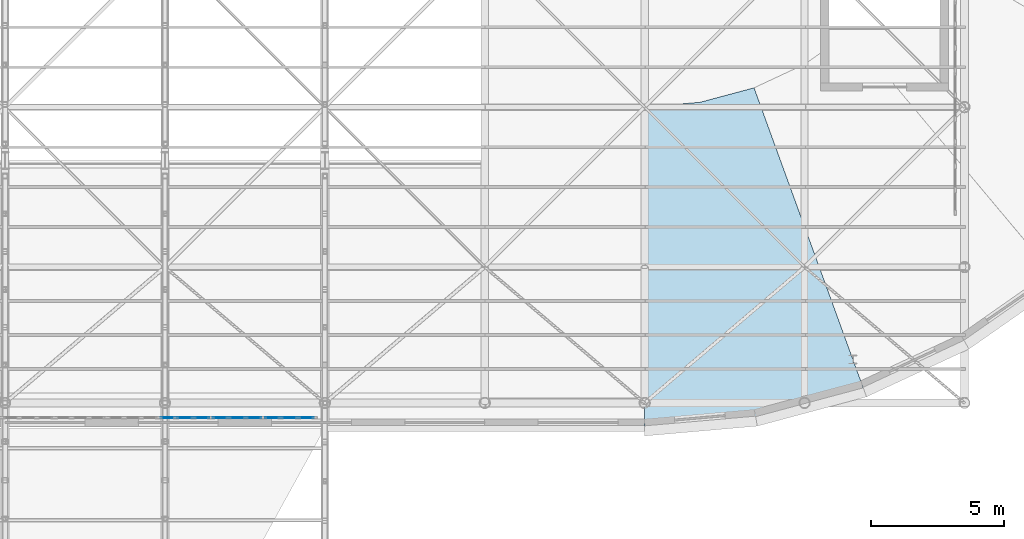
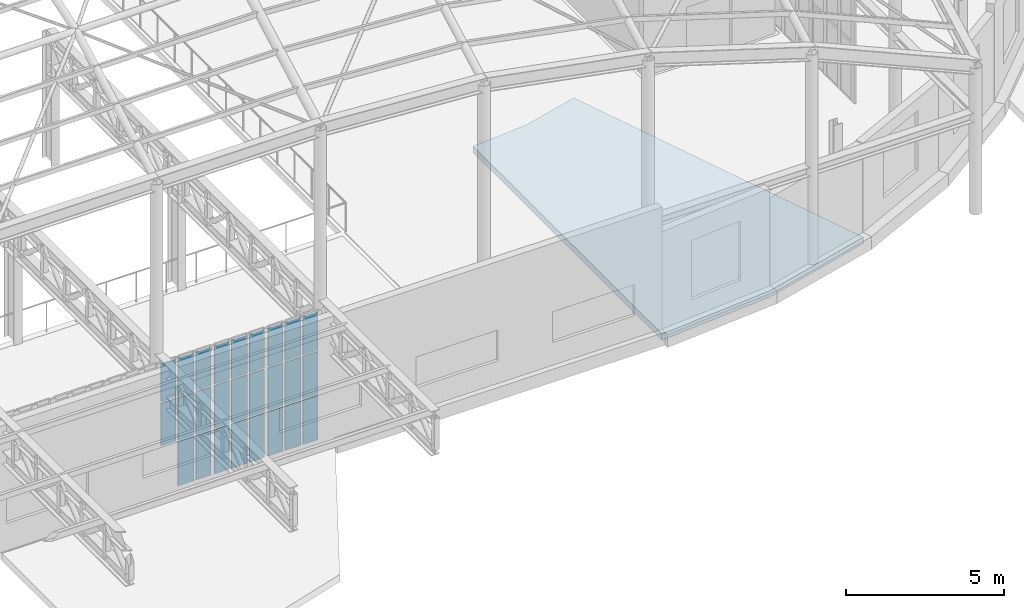
# One storey, part 56 of 75: 26 plates, 1 slab, 3 elements without a shape of their own.
"""IFC4 building model written with IfcOpenShell, lengths in metres."""

import ifcopenshell
import ifcopenshell.guid

model = None  # the IFC model being written
_history = None  # IfcOwnerHistory: only IFC2X3 demands one
_inside = {}  # id of a spatial element -> (the spatial element, [elements in it])
_under = {}  # id of a project, library or spatial element -> (it, [spatial elements below it])
_declared = {}  # id of a project -> (the project, [libraries it declares])
_typed = {}  # id of a type object -> (the type object, [elements of that type])
_made_of = {}  # id of a material, layer set ... -> (it, [elements and type objects made of it])


def new_model(schema):
    """Start an empty IFC model of exactly this schema.

    Asked for "IFC4X3", IfcOpenShell would pick the latest addendum, in which some entities
    have other attributes; the version numbers below select the first issue.
    IFC2X3 requires an IfcOwnerHistory on every rooted entity: one is made here for all.
    """
    global model, _history
    if schema == "IFC4X3":
        model = ifcopenshell.file(schema_version=(4, 3, 0, 0))
    else:
        model = ifcopenshell.file(schema=schema)
    _inside.clear()
    _under.clear()
    _declared.clear()
    _typed.clear()
    _made_of.clear()
    _history = None
    if model.schema == "IFC2X3":
        org = make("IfcOrganization", Name="unknown")
        user = make(
            "IfcPersonAndOrganization",
            ThePerson=make("IfcPerson", FamilyName="unknown"),
            TheOrganization=org,
        )
        app = make(
            "IfcApplication",
            ApplicationDeveloper=org,
            Version="unknown",
            ApplicationFullName="unknown",
            ApplicationIdentifier="unknown",
        )
        _history = make(
            "IfcOwnerHistory",
            OwningUser=user,
            OwningApplication=app,
            ChangeAction="ADDED",
            CreationDate=0,
        )
    return model


def make(cls, **values):
    """One entity of the class cls with the attributes given. An attribute that is None is left unset."""
    return model.create_entity(
        cls, **{name: value for name, value in values.items() if value is not None}
    )


def rooted(cls, **values):
    """An entity with a GlobalId (a new one), such as an element, a storey or a relation."""
    return make(cls, GlobalId=ifcopenshell.guid.new(), OwnerHistory=_history, **values)


def si_unit(unit_type, name, prefix=None):
    """IfcSIUnit, for example si_unit("LENGTHUNIT", "METRE", prefix="MILLI")."""
    return make("IfcSIUnit", UnitType=unit_type, Prefix=prefix, Name=name)


def assignment(units):
    """IfcUnitAssignment: the units of a project."""
    return None if units is None else make("IfcUnitAssignment", Units=units)


def point(xyz):
    """IfcCartesianPoint."""
    return None if xyz is None else make("IfcCartesianPoint", Coordinates=xyz)


def direction(xyz):
    """IfcDirection."""
    return None if xyz is None else make("IfcDirection", DirectionRatios=xyz)


def frame(location, z_axis=None, x_axis=None):
    """IfcAxis2Placement3D, a coordinate frame: its origin and axes. An axis left out is left unset."""
    return make(
        "IfcAxis2Placement3D",
        Location=point(location),
        Axis=direction(z_axis),
        RefDirection=direction(x_axis),
    )


def frame_2d(location, x_axis=None):
    """IfcAxis2Placement2D, a coordinate frame in the plane: its origin and x axis."""
    return make(
        "IfcAxis2Placement2D", Location=point(location), RefDirection=direction(x_axis)
    )


def origin():
    """The frame at (0, 0, 0) with its axes left unset."""
    return frame((0.0, 0.0, 0.0))


def origin_2d():
    """The frame at (0, 0) in the plane with its x axis left unset."""
    return frame_2d((0.0, 0.0))


def place(relative_to, where):
    """IfcLocalPlacement: puts the frame where relative to a parent placement (None: the world)."""
    return make(
        "IfcLocalPlacement", PlacementRelTo=relative_to, RelativePlacement=where
    )


def context(
    kind, dimensions, precision=None, world=None, true_north=None, identifier=None
):
    """IfcGeometricRepresentationContext, for example the 3D "Model" context."""
    return make(
        "IfcGeometricRepresentationContext",
        ContextIdentifier=identifier,
        ContextType=kind,
        CoordinateSpaceDimension=dimensions,
        Precision=precision,
        WorldCoordinateSystem=world,
        TrueNorth=true_north,
    )


def subcontext(parent, identifier, kind, view, scale=None):
    """IfcGeometricRepresentationSubContext, for example "Body" below "Model"."""
    return make(
        "IfcGeometricRepresentationSubContext",
        ContextIdentifier=identifier,
        ContextType=kind,
        ParentContext=parent,
        TargetScale=scale,
        TargetView=view,
    )


def project(units=None, contexts=None):
    """IfcProject with its units and contexts."""
    return rooted(
        "IfcProject",
        Name="project",
        RepresentationContexts=contexts,
        UnitsInContext=assignment(units),
    )


def spatial(cls, under=None, at=None, **own):
    """A site, building, storey or space (cls), placed at a placement, below another one or the project."""
    s = rooted(cls, ObjectPlacement=at, **own)
    if under is not None:
        _under.setdefault(under.id(), (under, []))[1].append(s)
    return s


def polyline(points):
    """IfcPolyline through the points."""
    return make("IfcPolyline", Points=[point(p) for p in points])


def profile(cls, at=None, kind="AREA", **sizes):
    """A parametric profile (cls). Its sizes go by their IFC names, for example OverallWidth=200.0."""
    return make(cls, ProfileType=kind, Position=at, **sizes)


def rectangle(**sizes):
    """IfcRectangleProfileDef."""
    return profile("IfcRectangleProfileDef", **sizes)


def outline(outer, holes=None, kind="AREA"):
    """IfcArbitraryClosedProfileDef: a profile drawn as a closed curve; with holes, ...WithVoids."""
    if holes is None:
        return make("IfcArbitraryClosedProfileDef", ProfileType=kind, OuterCurve=outer)
    return make(
        "IfcArbitraryProfileDefWithVoids",
        ProfileType=kind,
        OuterCurve=outer,
        InnerCurves=holes,
    )


def extrude(swept, where, along, depth):
    """IfcExtrudedAreaSolid: the profile swept, set in the frame where, extruded along a direction by depth."""
    return make(
        "IfcExtrudedAreaSolid",
        SweptArea=swept,
        Position=where,
        ExtrudedDirection=direction(along),
        Depth=depth,
    )


def shape(context_of_items, identifier, shape_type, items):
    """IfcShapeRepresentation: the items that make up one representation, for example the "Body"."""
    return make(
        "IfcShapeRepresentation",
        ContextOfItems=context_of_items,
        RepresentationIdentifier=identifier,
        RepresentationType=shape_type,
        Items=items,
    )


def material(Name=None, Category=None):
    """IfcMaterial."""
    return make("IfcMaterial", Name=Name, Category=Category)


def layer(
    of_material, thickness, ventilated=None, Name=None, Category=None, Priority=None
):
    """IfcMaterialLayer: one layer of a wall or slab, of a material (None: an air gap)."""
    return make(
        "IfcMaterialLayer",
        Material=of_material,
        LayerThickness=thickness,
        IsVentilated=ventilated,
        Name=Name,
        Category=Category,
        Priority=Priority,
    )


def layer_set(layers, Name=None):
    """IfcMaterialLayerSet."""
    return make("IfcMaterialLayerSet", MaterialLayers=layers, LayerSetName=Name)


def made_of(thing, what):
    """Note that an element or type object is made of a material, layer set ...; save() writes the relation."""
    if what is not None:
        _made_of.setdefault(what.id(), (what, []))[1].append(thing)
    return thing


def type_object(cls, material=None, **own):
    """A type object (cls), such as IfcWallType, which elements share."""
    return made_of(rooted(cls, **own), material)


def element(
    cls,
    number,
    at=None,
    inside=None,
    cuts=None,
    type_object=None,
    material=None,
    context=None,
    identifier="Body",
    shape_type=None,
    held_by="IfcProductDefinitionShape",
    body=None,
    shapes=None,
    **own,
):
    """One element of the class cls, such as IfcWall. Its Tag is "e" and its number.

    at: its placement. inside: the storey or other place that contains it. cuts: it is an
    opening in that element (IfcRelVoidsElement). A single representation is given by context,
    identifier, shape_type and body (its items); several are given by shapes. held_by: the class
    of the entity that holds the representations. save() writes the other relations.
    """
    e = rooted(cls, Tag="e%d" % number, ObjectPlacement=at, **own)
    if body is not None:
        shapes = [shape(context, identifier, shape_type, body)]
    if shapes is not None:
        e.Representation = make(held_by, Representations=shapes)
    if inside is not None:
        _inside.setdefault(inside.id(), (inside, []))[1].append(e)
    if cuts is not None:
        rooted(
            "IfcRelVoidsElement", RelatingBuildingElement=cuts, RelatedOpeningElement=e
        )
    if type_object is not None:
        _typed.setdefault(type_object.id(), (type_object, []))[1].append(e)
    return made_of(e, material)


def aggregate(whole, parts):
    """IfcRelAggregates: a whole, such as a stair, and the parts it consists of."""
    return rooted("IfcRelAggregates", RelatingObject=whole, RelatedObjects=parts)


def save(model, path):
    """Write the relations noted so far, then the file.

    IfcRelAggregates (storeys below a building ...), IfcRelContainedInSpatialStructure (elements
    in a storey), IfcRelDefinesByType, IfcRelAssociatesMaterial and IfcRelDeclares: one each for
    every whole, place, type object, material and project.
    """
    for whole, parts in _under.values():
        aggregate(whole, parts)
    for where, things in _inside.values():
        rooted(
            "IfcRelContainedInSpatialStructure",
            RelatedElements=things,
            RelatingStructure=where,
        )
    for kind, things in _typed.values():
        rooted("IfcRelDefinesByType", RelatedObjects=things, RelatingType=kind)
    for what, things in _made_of.values():
        rooted("IfcRelAssociatesMaterial", RelatedObjects=things, RelatingMaterial=what)
    for by, libraries in _declared.values():
        rooted("IfcRelDeclares", RelatingContext=by, RelatedDefinitions=libraries)
    model.write(path)


model = new_model("IFC4")

# Units and contexts
model_context = context("Model", 3, precision=1e-05, world=origin(), true_north=direction((0.0, 1.0)))
body_context = subcontext(model_context, "Body", "Model", "MODEL_VIEW")
ifc_project = project(units=[si_unit("LENGTHUNIT", "METRE"), si_unit("AREAUNIT", "SQUARE_METRE"), si_unit("VOLUMEUNIT", "CUBIC_METRE"), si_unit("PLANEANGLEUNIT", "RADIAN"), si_unit("MASSUNIT", "GRAM", prefix="KILO")], contexts=[model_context])

# Site, building, storey
site_placement = place(None, origin())
site = spatial("IfcSite", under=ifc_project, at=site_placement, CompositionType="ELEMENT")
building_placement = place(site_placement, origin())
building = spatial("IfcBuilding", under=site, at=building_placement, Name="Kolvaren Corner Interchange", CompositionType="ELEMENT")
storey_placement = place(building_placement, frame((0.0, 0.0, 10.5)))
storey = spatial("IfcBuildingStorey", under=building, at=storey_placement, Name="L03", CompositionType="ELEMENT", Elevation=10.5)

# Curtain wall, plates
ifc_material_1 = material(Name="Unitised Aluminium and Solar-Control Glass Curtain Wall", Category="aluminium")
curtain_wall_type = type_object("IfcCurtainWallType", Name="CW-V1-UPPER", PredefinedType="NOTDEFINED", material=ifc_material_1)
curtain_wall_1_placement = place(storey_placement, origin())
curtain_wall_1 = element("IfcCurtainWall", 1, at=curtain_wall_1_placement, inside=storey, type_object=curtain_wall_type, Name="South Portal Upper Curtain Wall Bay 16", PredefinedType="NOTDEFINED")
ifc_material_2 = material(Name="Low-E Solar-Control Laminated Glass", Category="glass")
ifc_layer_1 = layer(ifc_material_2, 0.035888671875)
ifc_layer_set_1 = layer_set([ifc_layer_1], Name="Low-E Solar-Control Laminated Glass")
plate_type = type_object("IfcPlateType", Name="PLT-CW-GL32", PredefinedType="CURTAIN_PANEL", material=ifc_layer_set_1)
plate_1_placement = place(storey_placement, frame((102.111083984375, 24.340087890625, 1.830078125), z_axis=(0.0, 0.0, 1.0), x_axis=(1.0, 0.0, 0.0)))
plate_1 = element("IfcPlate", 2, at=plate_1_placement, type_object=plate_type, Name="CW-052 panel 1.2", PredefinedType="CURTAIN_PANEL", context=body_context, shape_type="SweptSolid", body=[
    extrude(rectangle(XDim=0.548583984375, YDim=0.035888671875, at=origin_2d()), origin(), (0.0, 0.0, 1.0), 1.639892578125),
])
plate_2_placement = place(storey_placement, frame((102.111083984375, 24.340087890625, 3.530029296875), z_axis=(0.0, 0.0, 1.0), x_axis=(1.0, 0.0, 0.0)))
plate_2 = element("IfcPlate", 3, at=plate_2_placement, type_object=plate_type, Name="CW-052 panel 1.3", PredefinedType="CURTAIN_PANEL", context=body_context, shape_type="SweptSolid", body=[
    extrude(rectangle(XDim=0.548583984375, YDim=0.035888671875, at=origin_2d()), origin(), (0.0, 0.0, 1.0), 1.4599609375),
])
plate_3_placement = place(storey_placement, frame((102.747314453125, 24.340087890625, 0.06005859375), z_axis=(0.0, 0.0, 1.0), x_axis=(1.0, 0.0, 0.0)))
plate_3 = element("IfcPlate", 4, at=plate_3_placement, type_object=plate_type, Name="CW-052 panel 2.1", PredefinedType="CURTAIN_PANEL", context=body_context, shape_type="SweptSolid", body=[
    extrude(rectangle(XDim=0.583740234375, YDim=0.035888671875, at=origin_2d()), origin(), (0.0, 0.0, 1.0), 1.7099609375),
])
plate_4_placement = place(storey_placement, frame((102.747314453125, 24.340087890625, 1.830078125), z_axis=(0.0, 0.0, 1.0), x_axis=(1.0, 0.0, 0.0)))
plate_4 = element("IfcPlate", 5, at=plate_4_placement, type_object=plate_type, Name="CW-052 panel 2.2", PredefinedType="CURTAIN_PANEL", context=body_context, shape_type="SweptSolid", body=[
    extrude(rectangle(XDim=0.583740234375, YDim=0.035888671875, at=origin_2d()), origin(), (0.0, 0.0, 1.0), 1.639892578125),
])
plate_5_placement = place(storey_placement, frame((102.747314453125, 24.340087890625, 3.530029296875), z_axis=(0.0, 0.0, 1.0), x_axis=(1.0, 0.0, 0.0)))
plate_5 = element("IfcPlate", 6, at=plate_5_placement, type_object=plate_type, Name="CW-052 panel 2.3", PredefinedType="CURTAIN_PANEL", context=body_context, shape_type="SweptSolid", body=[
    extrude(rectangle(XDim=0.583740234375, YDim=0.035888671875, at=origin_2d()), origin(), (0.0, 0.0, 1.0), 1.4599609375),
])
plate_6_placement = place(storey_placement, frame((103.383544921875, 24.340087890625, 0.06005859375), z_axis=(0.0, 0.0, 1.0), x_axis=(1.0, 0.0, 0.0)))
plate_6 = element("IfcPlate", 7, at=plate_6_placement, type_object=plate_type, Name="CW-052 panel 3.1", PredefinedType="CURTAIN_PANEL", context=body_context, shape_type="SweptSolid", body=[
    extrude(rectangle(XDim=0.548583984375, YDim=0.035888671875, at=origin_2d()), origin(), (0.0, 0.0, 1.0), 1.7099609375),
])
plate_7_placement = place(storey_placement, frame((103.383544921875, 24.340087890625, 1.830078125), z_axis=(0.0, 0.0, 1.0), x_axis=(1.0, 0.0, 0.0)))
plate_7 = element("IfcPlate", 8, at=plate_7_placement, type_object=plate_type, Name="CW-052 panel 3.2", PredefinedType="CURTAIN_PANEL", context=body_context, shape_type="SweptSolid", body=[
    extrude(rectangle(XDim=0.548583984375, YDim=0.035888671875, at=origin_2d()), origin(), (0.0, 0.0, 1.0), 1.639892578125),
])
plate_8_placement = place(storey_placement, frame((103.383544921875, 24.340087890625, 3.530029296875), z_axis=(0.0, 0.0, 1.0), x_axis=(1.0, 0.0, 0.0)))
plate_8 = element("IfcPlate", 9, at=plate_8_placement, type_object=plate_type, Name="CW-052 panel 3.3", PredefinedType="CURTAIN_PANEL", context=body_context, shape_type="SweptSolid", body=[
    extrude(rectangle(XDim=0.548583984375, YDim=0.035888671875, at=origin_2d()), origin(), (0.0, 0.0, 1.0), 1.4599609375),
])
aggregate(curtain_wall_1, [plate_1, plate_2, plate_3, plate_4, plate_5, plate_6, plate_7, plate_8])

curtain_wall_2_placement = place(storey_placement, origin())
curtain_wall_2 = element("IfcCurtainWall", 10, at=curtain_wall_2_placement, inside=storey, type_object=curtain_wall_type, Name="South Portal Upper Curtain Wall Bay 17", PredefinedType="NOTDEFINED")
plate_9_placement = place(storey_placement, frame((104.072265625, 24.340087890625, 0.06005859375), z_axis=(0.0, 0.0, 1.0), x_axis=(1.0, 0.0, 0.0)))
plate_9 = element("IfcPlate", 11, at=plate_9_placement, type_object=plate_type, Name="CW-053 panel 1.1", PredefinedType="CURTAIN_PANEL", context=body_context, shape_type="SweptSolid", body=[
    extrude(rectangle(XDim=0.548583984375, YDim=0.035888671875, at=origin_2d()), origin(), (0.0, 0.0, 1.0), 1.7099609375),
])
plate_10_placement = place(storey_placement, frame((104.072265625, 24.340087890625, 1.830078125), z_axis=(0.0, 0.0, 1.0), x_axis=(1.0, 0.0, 0.0)))
plate_10 = element("IfcPlate", 12, at=plate_10_placement, type_object=plate_type, Name="CW-053 panel 1.2", PredefinedType="CURTAIN_PANEL", context=body_context, shape_type="SweptSolid", body=[
    extrude(rectangle(XDim=0.548583984375, YDim=0.035888671875, at=origin_2d()), origin(), (0.0, 0.0, 1.0), 1.639892578125),
])
plate_11_placement = place(storey_placement, frame((104.072265625, 24.340087890625, 3.530029296875), z_axis=(0.0, 0.0, 1.0), x_axis=(1.0, 0.0, 0.0)))
plate_11 = element("IfcPlate", 13, at=plate_11_placement, type_object=plate_type, Name="CW-053 panel 1.3", PredefinedType="CURTAIN_PANEL", context=body_context, shape_type="SweptSolid", body=[
    extrude(rectangle(XDim=0.548583984375, YDim=0.035888671875, at=origin_2d()), origin(), (0.0, 0.0, 1.0), 1.4599609375),
])
plate_12_placement = place(storey_placement, frame((104.708251953125, 24.340087890625, 0.06005859375), z_axis=(0.0, 0.0, 1.0), x_axis=(1.0, 0.0, 0.0)))
plate_12 = element("IfcPlate", 14, at=plate_12_placement, type_object=plate_type, Name="CW-053 panel 2.1", PredefinedType="CURTAIN_PANEL", context=body_context, shape_type="SweptSolid", body=[
    extrude(rectangle(XDim=0.583740234375, YDim=0.035888671875, at=origin_2d()), origin(), (0.0, 0.0, 1.0), 1.7099609375),
])
plate_13_placement = place(storey_placement, frame((104.708251953125, 24.340087890625, 1.830078125), z_axis=(0.0, 0.0, 1.0), x_axis=(1.0, 0.0, 0.0)))
plate_13 = element("IfcPlate", 15, at=plate_13_placement, type_object=plate_type, Name="CW-053 panel 2.2", PredefinedType="CURTAIN_PANEL", context=body_context, shape_type="SweptSolid", body=[
    extrude(rectangle(XDim=0.583740234375, YDim=0.035888671875, at=origin_2d()), origin(), (0.0, 0.0, 1.0), 1.639892578125),
])
plate_14_placement = place(storey_placement, frame((104.708251953125, 24.340087890625, 3.530029296875), z_axis=(0.0, 0.0, 1.0), x_axis=(1.0, 0.0, 0.0)))
plate_14 = element("IfcPlate", 16, at=plate_14_placement, type_object=plate_type, Name="CW-053 panel 2.3", PredefinedType="CURTAIN_PANEL", context=body_context, shape_type="SweptSolid", body=[
    extrude(rectangle(XDim=0.583740234375, YDim=0.035888671875, at=origin_2d()), origin(), (0.0, 0.0, 1.0), 1.4599609375),
])
plate_15_placement = place(storey_placement, frame((105.344482421875, 24.340087890625, 0.06005859375), z_axis=(0.0, 0.0, 1.0), x_axis=(1.0, 0.0, 0.0)))
plate_15 = element("IfcPlate", 17, at=plate_15_placement, type_object=plate_type, Name="CW-053 panel 3.1", PredefinedType="CURTAIN_PANEL", context=body_context, shape_type="SweptSolid", body=[
    extrude(rectangle(XDim=0.548583984375, YDim=0.035888671875, at=origin_2d()), origin(), (0.0, 0.0, 1.0), 1.7099609375),
])
plate_16_placement = place(storey_placement, frame((105.344482421875, 24.340087890625, 1.830078125), z_axis=(0.0, 0.0, 1.0), x_axis=(1.0, 0.0, 0.0)))
plate_16 = element("IfcPlate", 18, at=plate_16_placement, type_object=plate_type, Name="CW-053 panel 3.2", PredefinedType="CURTAIN_PANEL", context=body_context, shape_type="SweptSolid", body=[
    extrude(rectangle(XDim=0.548583984375, YDim=0.035888671875, at=origin_2d()), origin(), (0.0, 0.0, 1.0), 1.639892578125),
])
plate_17_placement = place(storey_placement, frame((105.344482421875, 24.340087890625, 3.530029296875), z_axis=(0.0, 0.0, 1.0), x_axis=(1.0, 0.0, 0.0)))
plate_17 = element("IfcPlate", 19, at=plate_17_placement, type_object=plate_type, Name="CW-053 panel 3.3", PredefinedType="CURTAIN_PANEL", context=body_context, shape_type="SweptSolid", body=[
    extrude(rectangle(XDim=0.548583984375, YDim=0.035888671875, at=origin_2d()), origin(), (0.0, 0.0, 1.0), 1.4599609375),
])
aggregate(curtain_wall_2, [plate_9, plate_10, plate_11, plate_12, plate_13, plate_14, plate_15, plate_16, plate_17])

curtain_wall_3_placement = place(storey_placement, origin())
curtain_wall_3 = element("IfcCurtainWall", 20, at=curtain_wall_3_placement, inside=storey, type_object=curtain_wall_type, Name="South Portal Upper Curtain Wall Bay 18", PredefinedType="NOTDEFINED")
plate_18_placement = place(storey_placement, frame((106.033203125, 24.340087890625, 0.06005859375), z_axis=(0.0, 0.0, 1.0), x_axis=(1.0, 0.0, 0.0)))
plate_18 = element("IfcPlate", 21, at=plate_18_placement, type_object=plate_type, Name="CW-054 panel 1.1", PredefinedType="CURTAIN_PANEL", context=body_context, shape_type="SweptSolid", body=[
    extrude(rectangle(XDim=0.548583984375, YDim=0.035888671875, at=origin_2d()), origin(), (0.0, 0.0, 1.0), 1.7099609375),
])
plate_19_placement = place(storey_placement, frame((106.033203125, 24.340087890625, 1.830078125), z_axis=(0.0, 0.0, 1.0), x_axis=(1.0, 0.0, 0.0)))
plate_19 = element("IfcPlate", 22, at=plate_19_placement, type_object=plate_type, Name="CW-054 panel 1.2", PredefinedType="CURTAIN_PANEL", context=body_context, shape_type="SweptSolid", body=[
    extrude(rectangle(XDim=0.548583984375, YDim=0.035888671875, at=origin_2d()), origin(), (0.0, 0.0, 1.0), 1.639892578125),
])
plate_20_placement = place(storey_placement, frame((106.033203125, 24.340087890625, 3.530029296875), z_axis=(0.0, 0.0, 1.0), x_axis=(1.0, 0.0, 0.0)))
plate_20 = element("IfcPlate", 23, at=plate_20_placement, type_object=plate_type, Name="CW-054 panel 1.3", PredefinedType="CURTAIN_PANEL", context=body_context, shape_type="SweptSolid", body=[
    extrude(rectangle(XDim=0.548583984375, YDim=0.035888671875, at=origin_2d()), origin(), (0.0, 0.0, 1.0), 1.4599609375),
])
plate_21_placement = place(storey_placement, frame((106.66943359375, 24.340087890625, 0.06005859375), z_axis=(0.0, 0.0, 1.0), x_axis=(1.0, 0.0, 0.0)))
plate_21 = element("IfcPlate", 24, at=plate_21_placement, type_object=plate_type, Name="CW-054 panel 2.1", PredefinedType="CURTAIN_PANEL", context=body_context, shape_type="SweptSolid", body=[
    extrude(rectangle(XDim=0.583740234375, YDim=0.035888671875, at=origin_2d()), origin(), (0.0, 0.0, 1.0), 1.7099609375),
])
plate_22_placement = place(storey_placement, frame((106.66943359375, 24.340087890625, 1.830078125), z_axis=(0.0, 0.0, 1.0), x_axis=(1.0, 0.0, 0.0)))
plate_22 = element("IfcPlate", 25, at=plate_22_placement, type_object=plate_type, Name="CW-054 panel 2.2", PredefinedType="CURTAIN_PANEL", context=body_context, shape_type="SweptSolid", body=[
    extrude(rectangle(XDim=0.583740234375, YDim=0.035888671875, at=origin_2d()), origin(), (0.0, 0.0, 1.0), 1.639892578125),
])
plate_23_placement = place(storey_placement, frame((106.66943359375, 24.340087890625, 3.530029296875), z_axis=(0.0, 0.0, 1.0), x_axis=(1.0, 0.0, 0.0)))
plate_23 = element("IfcPlate", 26, at=plate_23_placement, type_object=plate_type, Name="CW-054 panel 2.3", PredefinedType="CURTAIN_PANEL", context=body_context, shape_type="SweptSolid", body=[
    extrude(rectangle(XDim=0.583740234375, YDim=0.035888671875, at=origin_2d()), origin(), (0.0, 0.0, 1.0), 1.4599609375),
])
plate_24_placement = place(storey_placement, frame((107.3056640625, 24.340087890625, 0.06005859375), z_axis=(0.0, 0.0, 1.0), x_axis=(1.0, 0.0, 0.0)))
plate_24 = element("IfcPlate", 27, at=plate_24_placement, type_object=plate_type, Name="CW-054 panel 3.1", PredefinedType="CURTAIN_PANEL", context=body_context, shape_type="SweptSolid", body=[
    extrude(rectangle(XDim=0.548583984375, YDim=0.035888671875, at=origin_2d()), origin(), (0.0, 0.0, 1.0), 1.7099609375),
])
plate_25_placement = place(storey_placement, frame((107.3056640625, 24.340087890625, 1.830078125), z_axis=(0.0, 0.0, 1.0), x_axis=(1.0, 0.0, 0.0)))
plate_25 = element("IfcPlate", 28, at=plate_25_placement, type_object=plate_type, Name="CW-054 panel 3.2", PredefinedType="CURTAIN_PANEL", context=body_context, shape_type="SweptSolid", body=[
    extrude(rectangle(XDim=0.548583984375, YDim=0.035888671875, at=origin_2d()), origin(), (0.0, 0.0, 1.0), 1.639892578125),
])
plate_26_placement = place(storey_placement, frame((107.3056640625, 24.340087890625, 3.530029296875), z_axis=(0.0, 0.0, 1.0), x_axis=(1.0, 0.0, 0.0)))
plate_26 = element("IfcPlate", 29, at=plate_26_placement, type_object=plate_type, Name="CW-054 panel 3.3", PredefinedType="CURTAIN_PANEL", context=body_context, shape_type="SweptSolid", body=[
    extrude(rectangle(XDim=0.548583984375, YDim=0.035888671875, at=origin_2d()), origin(), (0.0, 0.0, 1.0), 1.4599609375),
])
aggregate(curtain_wall_3, [plate_18, plate_19, plate_20, plate_21, plate_22, plate_23, plate_24, plate_25, plate_26])

# Slab
ifc_material_3 = material(Name="Concrete C35/45", Category="concrete")
ifc_layer_2 = layer(ifc_material_3, 0.25)
ifc_layer_set_2 = layer_set([ifc_layer_2], Name="Concrete C35/45")
slab_type = type_object("IfcSlabType", Name="SL-COMP-250", PredefinedType="FLOOR", material=ifc_layer_set_2)
slab_placement = place(storey_placement, frame((0.0, 0.0, -0.25)))
element("IfcSlab", 30, at=slab_placement, inside=storey, type_object=slab_type, Name="Level 03 Racetrack East Sky Gallery Radial Slab 01", PredefinedType="FLOOR", context=body_context, shape_type="SweptSolid", body=[
    extrude(outline(polyline([(124.16748046875, 24.364501953125), (128.20849609375, 25.447509765625), (124.104248046875, 36.7236328125), (122.083740234375, 36.182373046875), (120.0, 36.0), (120.0, 24.0), (124.16748046875, 24.364501953125)])), origin(), (0.0, 0.0, 1.0), 0.25),
])

save(model, "model.ifc")
